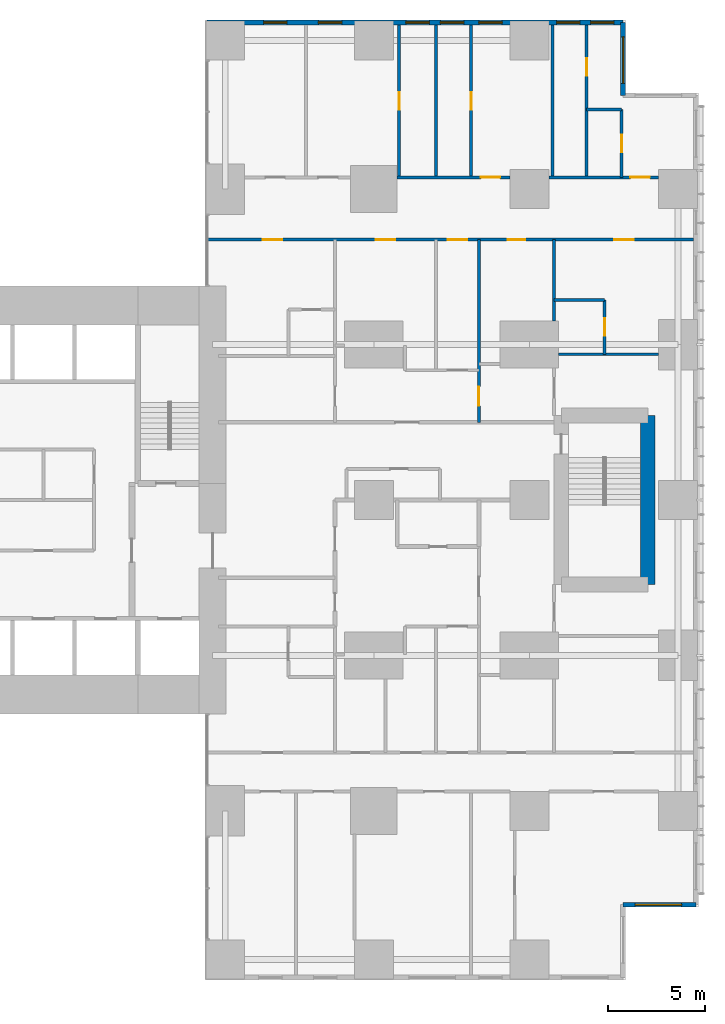
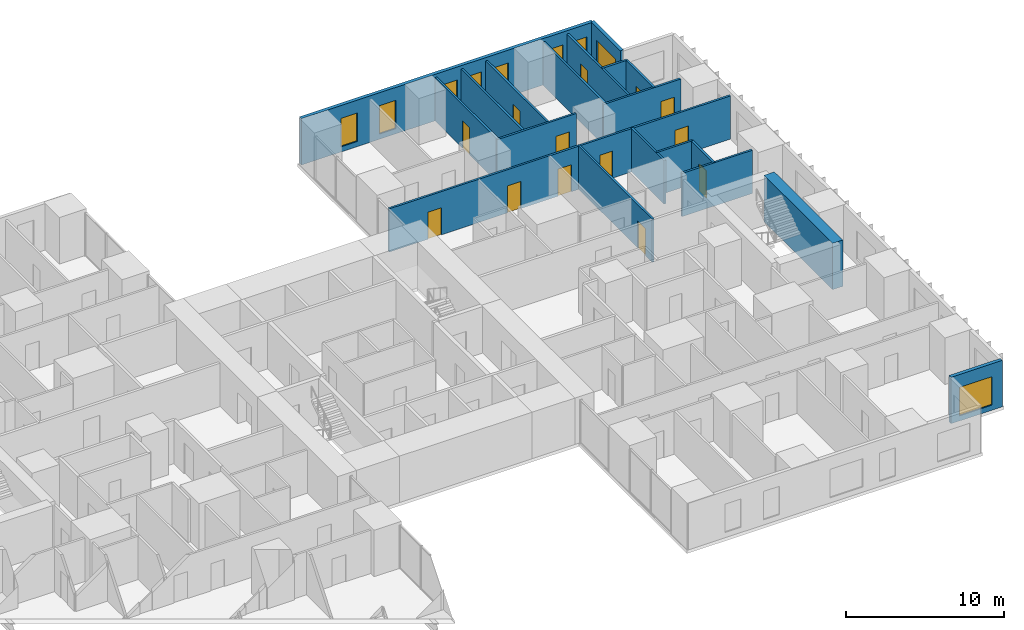
# One storey, part 18 of 20: 19 walls, 13 doors, 9 windows, 22 openings.
"""IFC4 building model written with IfcOpenShell, lengths in metres."""

from ifc_helpers import new_model, si_unit, direction, frame, frame_2d, origin, place, context, subcontext, project, spatial, rectangle, extrude, material, layer, layer_set, type_object, element, fill, save


model = new_model("IFC4")

# Units and contexts
model_context = context("Model", 3, precision=1e-05, world=origin(), true_north=direction((0.0, 1.0)))
body_context = subcontext(model_context, "Body", "Model", "MODEL_VIEW")
ifc_project = project(units=[si_unit("LENGTHUNIT", "METRE"), si_unit("AREAUNIT", "SQUARE_METRE"), si_unit("VOLUMEUNIT", "CUBIC_METRE"), si_unit("PLANEANGLEUNIT", "RADIAN"), si_unit("MASSUNIT", "GRAM", prefix="KILO")], contexts=[model_context])

# Site, building, storey
site_placement = place(None, origin())
site = spatial("IfcSite", under=ifc_project, at=site_placement, CompositionType="ELEMENT")
building_placement = place(site_placement, origin())
building = spatial("IfcBuilding", under=site, at=building_placement, Name="Cleftline Residences", CompositionType="ELEMENT")
storey_placement = place(building_placement, frame((0.0, 0.0, 164.60009765625)))
storey = spatial("IfcBuildingStorey", under=building, at=storey_placement, Name="L43", CompositionType="ELEMENT", Elevation=164.60009765625)

# Wall, opening, window
ifc_material_1 = material(Name="Rendered reinforced concrete blockwork", Category="masonry")
ifc_layer_1 = layer(ifc_material_1, 0.25)
ifc_layer_set_1 = layer_set([ifc_layer_1], Name="EXTERNAL WALL 250")
wall_type_1 = type_object("IfcWallType", Name="EXTERNAL WALL 250", PredefinedType="SOLIDWALL", material=ifc_layer_set_1)
wall_1_placement = place(storey_placement, frame((62.824951171875, 3.175048828125, 0.0), z_axis=(0.0, 0.0, 1.0), x_axis=(1.0, 0.0, 0.0)))
wall_1 = element("IfcWall", 1, at=wall_1_placement, inside=storey, type_object=wall_type_1, Name="External wall", PredefinedType="SOLIDWALL", context=body_context, shape_type="SweptSolid", body=[
    extrude(rectangle(XDim=3.75, YDim=0.25, at=frame_2d((1.875, 0.0))), origin(), (0.0, 0.0, 1.0), 3.599853515625),
])
opening_1_placement = place(wall_1_placement, frame((0.612548828125, 0.0, 0.39990234375)))
opening_1 = element("IfcOpeningElement", 2, at=opening_1_placement, cuts=wall_1, Name="Opening W12", PredefinedType="OPENING", context=body_context, shape_type="SweptSolid", body=[
    extrude(rectangle(XDim=2.39990234375, YDim=2.199951171875, at=frame_2d((1.199951171875, 1.10009765625))), frame((0.0, 0.135009765625, 0.0), z_axis=(0.0, -1.0, 0.0), x_axis=(1.0, 0.0, 0.0)), (0.0, 0.0, 1.0), 0.27001953125),
])
ifc_material_2 = material(Name="Aluminium frame, clear double glazing", Category="aluminium")
window_type_1 = type_object("IfcWindowType", Name="WINDOW 2400X2200", PartitioningType="DOUBLE_PANEL_VERTICAL", PredefinedType="WINDOW", material=ifc_material_2)
window_1_placement = place(opening_1_placement, origin())
window_1 = element("IfcWindow", 3, at=window_1_placement, inside=storey, type_object=window_type_1, Name="Window", OverallHeight=2.199951171875, OverallWidth=2.39990234375, PartitioningType="SINGLE_PANEL", PredefinedType="WINDOW", context=body_context, shape_type="SweptSolid", body=[
    extrude(rectangle(XDim=2.39990234375, YDim=2.199951171875, at=frame_2d((1.199951171875, 1.10009765625))), frame((0.0, 0.030029296875, 0.0), z_axis=(0.0, -1.0, 0.0), x_axis=(1.0, 0.0, 0.0)), (0.0, 0.0, 1.0), 0.06005859375),
])
fill(opening_1, window_1)

wall_2_placement = place(storey_placement, frame((62.824951171875, 44.824951171875, 0.0), z_axis=(0.0, 0.0, 1.0), x_axis=(0.0, 1.0, 0.0)))
wall_2 = element("IfcWall", 4, at=wall_2_placement, inside=storey, type_object=wall_type_1, Name="External wall", PredefinedType="SOLIDWALL", context=body_context, shape_type="SweptSolid", body=[
    extrude(rectangle(XDim=3.75, YDim=0.25, at=frame_2d((1.875, 0.0))), origin(), (0.0, 0.0, 1.0), 3.599853515625),
])
opening_2_placement = place(wall_2_placement, frame((0.612548828125, 0.0, 0.39990234375)))
opening_2 = element("IfcOpeningElement", 5, at=opening_2_placement, cuts=wall_2, Name="Opening W12", PredefinedType="OPENING", context=body_context, shape_type="SweptSolid", body=[
    extrude(rectangle(XDim=2.39990234375, YDim=2.199951171875, at=frame_2d((1.199951171875, 1.10009765625))), frame((0.0, 0.135009765625, 0.0), z_axis=(0.0, -1.0, 0.0), x_axis=(1.0, 0.0, 0.0)), (0.0, 0.0, 1.0), 0.27001953125),
])
window_2_placement = place(opening_2_placement, origin())
window_2 = element("IfcWindow", 6, at=window_2_placement, inside=storey, type_object=window_type_1, Name="Window", OverallHeight=2.199951171875, OverallWidth=2.39990234375, PartitioningType="SINGLE_PANEL", PredefinedType="WINDOW", context=body_context, shape_type="SweptSolid", body=[
    extrude(rectangle(XDim=2.39990234375, YDim=2.199951171875, at=frame_2d((1.199951171875, 1.10009765625))), frame((0.0, 0.030029296875, 0.0), z_axis=(0.0, -1.0, 0.0), x_axis=(1.0, 0.0, 0.0)), (0.0, 0.0, 1.0), 0.06005859375),
])
fill(opening_2, window_2)

# Wall, openings, windows
wall_3_placement = place(storey_placement, frame((62.824951171875, 48.574951171875, 0.0), z_axis=(0.0, 0.0, 1.0), x_axis=(-1.0, 0.0, 0.0)))
wall_3 = element("IfcWall", 7, at=wall_3_placement, inside=storey, type_object=wall_type_1, Name="External wall", PredefinedType="SOLIDWALL", context=body_context, shape_type="SweptSolid", body=[
    extrude(rectangle(XDim=21.39990234375, YDim=0.25, at=frame_2d((10.699951171875, 0.0))), origin(), (0.0, 0.0, 1.0), 3.599853515625),
])
opening_3_placement = place(wall_3_placement, frame((0.47509765625, 0.0, 0.39990234375)))
opening_3 = element("IfcOpeningElement", 8, at=opening_3_placement, cuts=wall_3, Name="Opening W11", PredefinedType="OPENING", context=body_context, shape_type="SweptSolid", body=[
    extrude(rectangle(XDim=1.199951171875, YDim=2.199951171875, at=frame_2d((0.60009765625, 1.10009765625))), frame((0.0, 0.135009765625, 0.0), z_axis=(0.0, -1.0, 0.0), x_axis=(1.0, 0.0, 0.0)), (0.0, 0.0, 1.0), 0.27001953125),
])
opening_4_placement = place(wall_3_placement, frame((2.22509765625, 0.0, 0.39990234375)))
opening_4 = element("IfcOpeningElement", 9, at=opening_4_placement, cuts=wall_3, Name="Opening W11", PredefinedType="OPENING", context=body_context, shape_type="SweptSolid", body=[
    extrude(rectangle(XDim=1.199951171875, YDim=2.199951171875, at=frame_2d((0.60009765625, 1.10009765625))), frame((0.0, 0.135009765625, 0.0), z_axis=(0.0, -1.0, 0.0), x_axis=(1.0, 0.0, 0.0)), (0.0, 0.0, 1.0), 0.27001953125),
])
opening_5_placement = place(wall_3_placement, frame((6.22509765625, 0.0, 0.39990234375)))
opening_5 = element("IfcOpeningElement", 10, at=opening_5_placement, cuts=wall_3, Name="Opening W11", PredefinedType="OPENING", context=body_context, shape_type="SweptSolid", body=[
    extrude(rectangle(XDim=1.199951171875, YDim=2.199951171875, at=frame_2d((0.60009765625, 1.10009765625))), frame((0.0, 0.135009765625, 0.0), z_axis=(0.0, -1.0, 0.0), x_axis=(1.0, 0.0, 0.0)), (0.0, 0.0, 1.0), 0.27001953125),
])
opening_6_placement = place(wall_3_placement, frame((8.199951171875, 0.0, 0.39990234375)))
opening_6 = element("IfcOpeningElement", 11, at=opening_6_placement, cuts=wall_3, Name="Opening W11", PredefinedType="OPENING", context=body_context, shape_type="SweptSolid", body=[
    extrude(rectangle(XDim=1.199951171875, YDim=2.199951171875, at=frame_2d((0.60009765625, 1.10009765625))), frame((0.0, 0.135009765625, 0.0), z_axis=(0.0, -1.0, 0.0), x_axis=(1.0, 0.0, 0.0)), (0.0, 0.0, 1.0), 0.27001953125),
])
opening_7_placement = place(wall_3_placement, frame((9.97509765625, 0.0, 0.39990234375)))
opening_7 = element("IfcOpeningElement", 12, at=opening_7_placement, cuts=wall_3, Name="Opening W11", PredefinedType="OPENING", context=body_context, shape_type="SweptSolid", body=[
    extrude(rectangle(XDim=1.199951171875, YDim=2.199951171875, at=frame_2d((0.60009765625, 1.10009765625))), frame((0.0, 0.135009765625, 0.0), z_axis=(0.0, -1.0, 0.0), x_axis=(1.0, 0.0, 0.0)), (0.0, 0.0, 1.0), 0.27001953125),
])
opening_8_placement = place(wall_3_placement, frame((14.47509765625, 0.0, 0.39990234375)))
opening_8 = element("IfcOpeningElement", 13, at=opening_8_placement, cuts=wall_3, Name="Opening W11", PredefinedType="OPENING", context=body_context, shape_type="SweptSolid", body=[
    extrude(rectangle(XDim=1.199951171875, YDim=2.199951171875, at=frame_2d((0.60009765625, 1.10009765625))), frame((0.0, 0.135009765625, 0.0), z_axis=(0.0, -1.0, 0.0), x_axis=(1.0, 0.0, 0.0)), (0.0, 0.0, 1.0), 0.27001953125),
])
opening_9_placement = place(wall_3_placement, frame((17.300048828125, 0.0, 0.39990234375)))
opening_9 = element("IfcOpeningElement", 14, at=opening_9_placement, cuts=wall_3, Name="Opening W11", PredefinedType="OPENING", context=body_context, shape_type="SweptSolid", body=[
    extrude(rectangle(XDim=1.199951171875, YDim=2.199951171875, at=frame_2d((0.60009765625, 1.10009765625))), frame((0.0, 0.135009765625, 0.0), z_axis=(0.0, -1.0, 0.0), x_axis=(1.0, 0.0, 0.0)), (0.0, 0.0, 1.0), 0.27001953125),
])
ifc_material_3 = material(Name="Aluminium frame, clear double glazing", Category="aluminium")
window_type_2 = type_object("IfcWindowType", Name="WINDOW 1200X2200", PartitioningType="DOUBLE_PANEL_VERTICAL", PredefinedType="WINDOW", material=ifc_material_3)
window_3_placement = place(opening_3_placement, origin())
window_3 = element("IfcWindow", 15, at=window_3_placement, inside=storey, type_object=window_type_2, Name="Window", OverallHeight=2.199951171875, OverallWidth=1.199951171875, PartitioningType="SINGLE_PANEL", PredefinedType="WINDOW", context=body_context, shape_type="SweptSolid", body=[
    extrude(rectangle(XDim=1.199951171875, YDim=2.199951171875, at=frame_2d((0.60009765625, 1.10009765625))), frame((0.0, 0.030029296875, 0.0), z_axis=(0.0, -1.0, 0.0), x_axis=(1.0, 0.0, 0.0)), (0.0, 0.0, 1.0), 0.06005859375),
])
fill(opening_3, window_3)
window_4_placement = place(opening_4_placement, origin())
window_4 = element("IfcWindow", 16, at=window_4_placement, inside=storey, type_object=window_type_2, Name="Window", OverallHeight=2.199951171875, OverallWidth=1.199951171875, PartitioningType="SINGLE_PANEL", PredefinedType="WINDOW", context=body_context, shape_type="SweptSolid", body=[
    extrude(rectangle(XDim=1.199951171875, YDim=2.199951171875, at=frame_2d((0.60009765625, 1.10009765625))), frame((0.0, 0.030029296875, 0.0), z_axis=(0.0, -1.0, 0.0), x_axis=(1.0, 0.0, 0.0)), (0.0, 0.0, 1.0), 0.06005859375),
])
fill(opening_4, window_4)
window_5_placement = place(opening_5_placement, origin())
window_5 = element("IfcWindow", 17, at=window_5_placement, inside=storey, type_object=window_type_2, Name="Window", OverallHeight=2.199951171875, OverallWidth=1.199951171875, PartitioningType="SINGLE_PANEL", PredefinedType="WINDOW", context=body_context, shape_type="SweptSolid", body=[
    extrude(rectangle(XDim=1.199951171875, YDim=2.199951171875, at=frame_2d((0.60009765625, 1.10009765625))), frame((0.0, 0.030029296875, 0.0), z_axis=(0.0, -1.0, 0.0), x_axis=(1.0, 0.0, 0.0)), (0.0, 0.0, 1.0), 0.06005859375),
])
fill(opening_5, window_5)
window_6_placement = place(opening_6_placement, origin())
window_6 = element("IfcWindow", 18, at=window_6_placement, inside=storey, type_object=window_type_2, Name="Window", OverallHeight=2.199951171875, OverallWidth=1.199951171875, PartitioningType="SINGLE_PANEL", PredefinedType="WINDOW", context=body_context, shape_type="SweptSolid", body=[
    extrude(rectangle(XDim=1.199951171875, YDim=2.199951171875, at=frame_2d((0.60009765625, 1.10009765625))), frame((0.0, 0.030029296875, 0.0), z_axis=(0.0, -1.0, 0.0), x_axis=(1.0, 0.0, 0.0)), (0.0, 0.0, 1.0), 0.06005859375),
])
fill(opening_6, window_6)
window_7_placement = place(opening_7_placement, origin())
window_7 = element("IfcWindow", 19, at=window_7_placement, inside=storey, type_object=window_type_2, Name="Window", OverallHeight=2.199951171875, OverallWidth=1.199951171875, PartitioningType="SINGLE_PANEL", PredefinedType="WINDOW", context=body_context, shape_type="SweptSolid", body=[
    extrude(rectangle(XDim=1.199951171875, YDim=2.199951171875, at=frame_2d((0.60009765625, 1.10009765625))), frame((0.0, 0.030029296875, 0.0), z_axis=(0.0, -1.0, 0.0), x_axis=(1.0, 0.0, 0.0)), (0.0, 0.0, 1.0), 0.06005859375),
])
fill(opening_7, window_7)
window_8_placement = place(opening_8_placement, origin())
window_8 = element("IfcWindow", 20, at=window_8_placement, inside=storey, type_object=window_type_2, Name="Window", OverallHeight=2.199951171875, OverallWidth=1.199951171875, PartitioningType="SINGLE_PANEL", PredefinedType="WINDOW", context=body_context, shape_type="SweptSolid", body=[
    extrude(rectangle(XDim=1.199951171875, YDim=2.199951171875, at=frame_2d((0.60009765625, 1.10009765625))), frame((0.0, 0.030029296875, 0.0), z_axis=(0.0, -1.0, 0.0), x_axis=(1.0, 0.0, 0.0)), (0.0, 0.0, 1.0), 0.06005859375),
])
fill(opening_8, window_8)
window_9_placement = place(opening_9_placement, origin())
window_9 = element("IfcWindow", 21, at=window_9_placement, inside=storey, type_object=window_type_2, Name="Window", OverallHeight=2.199951171875, OverallWidth=1.199951171875, PartitioningType="SINGLE_PANEL", PredefinedType="WINDOW", context=body_context, shape_type="SweptSolid", body=[
    extrude(rectangle(XDim=1.199951171875, YDim=2.199951171875, at=frame_2d((0.60009765625, 1.10009765625))), frame((0.0, 0.030029296875, 0.0), z_axis=(0.0, -1.0, 0.0), x_axis=(1.0, 0.0, 0.0)), (0.0, 0.0, 1.0), 0.06005859375),
])
fill(opening_9, window_9)

# Walls
ifc_material_4 = material(Name="Gypsum board on steel studs", Category="steel")
ifc_layer_2 = layer(ifc_material_4, 0.14990234375)
ifc_layer_set_2 = layer_set([ifc_layer_2], Name="PARTITION 150")
wall_type_2 = type_object("IfcWallType", Name="PARTITION 150", PredefinedType="PARTITIONING", material=ifc_layer_set_2)
wall_4_placement = place(storey_placement, frame((59.5, 31.5, 0.0), z_axis=(0.0, 0.0, 1.0), x_axis=(1.0, 0.0, 0.0)))
element("IfcWall", 22, at=wall_4_placement, inside=storey, type_object=wall_type_2, Name="Partition", PredefinedType="PARTITIONING", context=body_context, shape_type="SweptSolid", body=[
    extrude(rectangle(XDim=5.14990234375, YDim=0.14990234375, at=frame_2d((2.574951171875, 0.0))), origin(), (0.0, 0.0, 1.0), 3.349853515625),
])
wall_5_placement = place(storey_placement, frame((59.27490234375, 34.300048828125, 0.0), z_axis=(0.0, 0.0, 1.0), x_axis=(1.0, 0.0, 0.0)))
element("IfcWall", 23, at=wall_5_placement, inside=storey, type_object=wall_type_2, Name="Partition", PredefinedType="PARTITIONING", context=body_context, shape_type="SweptSolid", body=[
    extrude(rectangle(XDim=2.60009765625, YDim=0.14990234375, at=frame_2d((1.300048828125, 0.0))), origin(), (0.0, 0.0, 1.0), 3.349853515625),
])

# Wall, openings, doors
wall_6_placement = place(storey_placement, frame((41.43896484375, 37.39990234375, 0.0), z_axis=(0.0, 0.0, 1.0), x_axis=(1.0, 0.0, 0.0)))
wall_6 = element("IfcWall", 24, at=wall_6_placement, inside=storey, type_object=wall_type_2, Name="Partition", PredefinedType="PARTITIONING", context=body_context, shape_type="SweptSolid", body=[
    extrude(rectangle(XDim=25.010986328125, YDim=0.14990234375, at=frame_2d((12.50537109375, 0.0))), origin(), (0.0, 0.0, 1.0), 3.349853515625),
])
opening_10_placement = place(wall_6_placement, frame((12.361083984375, 0.0, 0.0)))
opening_10 = element("IfcOpeningElement", 25, at=opening_10_placement, cuts=wall_6, Name="Opening D2F30", PredefinedType="OPENING", context=body_context, shape_type="SweptSolid", body=[
    extrude(rectangle(XDim=1.0, YDim=2.10009765625, at=frame_2d((0.5, 1.050048828125))), frame((0.0, 0.0849609375, 0.0), z_axis=(0.0, -1.0, 0.0), x_axis=(1.0, 0.0, 0.0)), (0.0, 0.0, 1.0), 0.169921875),
])
opening_11_placement = place(wall_6_placement, frame((20.923583984375, 0.0, 0.0)))
opening_11 = element("IfcOpeningElement", 26, at=opening_11_placement, cuts=wall_6, Name="Opening D2F30", PredefinedType="OPENING", context=body_context, shape_type="SweptSolid", body=[
    extrude(rectangle(XDim=1.0, YDim=2.10009765625, at=frame_2d((0.5, 1.050048828125))), frame((0.0, 0.0849609375, 0.0), z_axis=(0.0, -1.0, 0.0), x_axis=(1.0, 0.0, 0.0)), (0.0, 0.0, 1.0), 0.169921875),
])
opening_12_placement = place(wall_6_placement, frame((15.448486328125, 0.0, 0.0)))
opening_12 = element("IfcOpeningElement", 27, at=opening_12_placement, cuts=wall_6, Name="Opening D1F30", PredefinedType="OPENING", context=body_context, shape_type="SweptSolid", body=[
    extrude(rectangle(XDim=0.89990234375, YDim=2.10009765625, at=frame_2d((0.449951171875, 1.050048828125))), frame((0.0, 0.0849609375, 0.0), z_axis=(0.0, -1.0, 0.0), x_axis=(1.0, 0.0, 0.0)), (0.0, 0.0, 1.0), 0.169921875),
])
opening_13_placement = place(wall_6_placement, frame((8.660888671875, 0.0, 0.0)))
opening_13 = element("IfcOpeningElement", 28, at=opening_13_placement, cuts=wall_6, Name="Opening D2F30", PredefinedType="OPENING", context=body_context, shape_type="SweptSolid", body=[
    extrude(rectangle(XDim=1.0, YDim=2.10009765625, at=frame_2d((0.5, 1.050048828125))), frame((0.0, 0.0849609375, 0.0), z_axis=(0.0, -1.0, 0.0), x_axis=(1.0, 0.0, 0.0)), (0.0, 0.0, 1.0), 0.169921875),
])
opening_14_placement = place(wall_6_placement, frame((2.8359375, 0.0, 0.0)))
opening_14 = element("IfcOpeningElement", 29, at=opening_14_placement, cuts=wall_6, Name="Opening D2F30", PredefinedType="OPENING", context=body_context, shape_type="SweptSolid", body=[
    extrude(rectangle(XDim=1.0, YDim=2.10009765625, at=frame_2d((0.5, 1.050048828125))), frame((0.0, 0.0849609375, 0.0), z_axis=(0.0, -1.0, 0.0), x_axis=(1.0, 0.0, 0.0)), (0.0, 0.0, 1.0), 0.169921875),
])
ifc_material_5 = material(Name="Timber veneer on solid core", Category="wood")
door_type_1 = type_object("IfcDoorType", Name="DOOR 1000X2100 EI 30", OperationType="SINGLE_SWING_LEFT", PredefinedType="DOOR", material=ifc_material_5)
door_1_placement = place(opening_10_placement, origin())
door_1 = element("IfcDoor", 30, at=door_1_placement, inside=storey, type_object=door_type_1, Name="Door to residence corridor (bedrooms)", OperationType="SINGLE_SWING_LEFT", OverallHeight=2.10009765625, OverallWidth=1.0, PredefinedType="DOOR", context=body_context, shape_type="SweptSolid", body=[
    extrude(rectangle(XDim=1.0, YDim=2.10009765625, at=frame_2d((0.5, 1.050048828125))), frame((0.0, 0.02490234375, 0.0), z_axis=(0.0, -1.0, 0.0), x_axis=(1.0, 0.0, 0.0)), (0.0, 0.0, 1.0), 0.050048828125),
])
fill(opening_10, door_1)
door_2_placement = place(opening_11_placement, origin())
door_2 = element("IfcDoor", 31, at=door_2_placement, inside=storey, type_object=door_type_1, Name="Door to master bedroom", OperationType="SINGLE_SWING_LEFT", OverallHeight=2.10009765625, OverallWidth=1.0, PredefinedType="DOOR", context=body_context, shape_type="SweptSolid", body=[
    extrude(rectangle(XDim=1.0, YDim=2.10009765625, at=frame_2d((0.5, 1.050048828125))), frame((0.0, 0.02490234375, 0.0), z_axis=(0.0, -1.0, 0.0), x_axis=(1.0, 0.0, 0.0)), (0.0, 0.0, 1.0), 0.050048828125),
])
fill(opening_11, door_2)
door_3_placement = place(opening_13_placement, origin())
door_3 = element("IfcDoor", 32, at=door_3_placement, inside=storey, type_object=door_type_1, Name="Door to media room", OperationType="SINGLE_SWING_RIGHT", OverallHeight=2.10009765625, OverallWidth=1.0, PredefinedType="DOOR", context=body_context, shape_type="SweptSolid", body=[
    extrude(rectangle(XDim=1.0, YDim=2.10009765625, at=frame_2d((0.5, 1.050048828125))), frame((0.0, 0.02490234375, 0.0), z_axis=(0.0, -1.0, 0.0), x_axis=(1.0, 0.0, 0.0)), (0.0, 0.0, 1.0), 0.050048828125),
])
fill(opening_13, door_3)
door_4_placement = place(opening_14_placement, origin())
door_4 = element("IfcDoor", 33, at=door_4_placement, inside=storey, type_object=door_type_1, Name="Door to staff bedroom", OperationType="SINGLE_SWING_RIGHT", OverallHeight=2.10009765625, OverallWidth=1.0, PredefinedType="DOOR", context=body_context, shape_type="SweptSolid", body=[
    extrude(rectangle(XDim=1.0, YDim=2.10009765625, at=frame_2d((0.5, 1.050048828125))), frame((0.0, 0.02490234375, 0.0), z_axis=(0.0, -1.0, 0.0), x_axis=(1.0, 0.0, 0.0)), (0.0, 0.0, 1.0), 0.050048828125),
])
fill(opening_14, door_4)
ifc_material_6 = material(Name="Timber veneer on solid core", Category="wood")
door_type_2 = type_object("IfcDoorType", Name="DOOR 900X2100 EI 30", OperationType="SINGLE_SWING_LEFT", PredefinedType="DOOR", material=ifc_material_6)
door_5_placement = place(opening_12_placement, origin())
door_5 = element("IfcDoor", 34, at=door_5_placement, inside=storey, type_object=door_type_2, Name="Door to guest bathroom", OperationType="SINGLE_SWING_LEFT", OverallHeight=2.10009765625, OverallWidth=0.89990234375, PredefinedType="DOOR", context=body_context, shape_type="SweptSolid", body=[
    extrude(rectangle(XDim=0.89990234375, YDim=2.10009765625, at=frame_2d((0.449951171875, 1.050048828125))), frame((0.0, 0.02490234375, 0.0), z_axis=(0.0, -1.0, 0.0), x_axis=(1.0, 0.0, 0.0)), (0.0, 0.0, 1.0), 0.050048828125),
])
fill(opening_12, door_5)

# Wall, opening, door
wall_7_placement = place(storey_placement, frame((51.199951171875, 40.60009765625, 0.0), z_axis=(0.0, 0.0, 1.0), x_axis=(1.0, 0.0, 0.0)))
wall_7 = element("IfcWall", 35, at=wall_7_placement, inside=storey, type_object=wall_type_2, Name="Partition", PredefinedType="PARTITIONING", context=body_context, shape_type="SweptSolid", body=[
    extrude(rectangle(XDim=5.800048828125, YDim=0.14990234375, at=frame_2d((2.89990234375, 0.0))), origin(), (0.0, 0.0, 1.0), 3.349853515625),
])
opening_15_placement = place(wall_7_placement, frame((4.300048828125, 0.0, 0.0)))
opening_15 = element("IfcOpeningElement", 36, at=opening_15_placement, cuts=wall_7, Name="Opening D2", PredefinedType="OPENING", context=body_context, shape_type="SweptSolid", body=[
    extrude(rectangle(XDim=1.0, YDim=2.10009765625, at=frame_2d((0.5, 1.050048828125))), frame((0.0, 0.0849609375, 0.0), z_axis=(0.0, -1.0, 0.0), x_axis=(1.0, 0.0, 0.0)), (0.0, 0.0, 1.0), 0.169921875),
])
ifc_material_7 = material(Name="Timber veneer on solid core", Category="wood")
door_type_3 = type_object("IfcDoorType", Name="DOOR 1000X2100", OperationType="SINGLE_SWING_LEFT", PredefinedType="DOOR", material=ifc_material_7)
door_6_placement = place(opening_15_placement, origin())
door_6 = element("IfcDoor", 37, at=door_6_placement, inside=storey, type_object=door_type_3, Name="Door to bedroom 3", OperationType="SINGLE_SWING_LEFT", OverallHeight=2.10009765625, OverallWidth=1.0, PredefinedType="DOOR", context=body_context, shape_type="SweptSolid", body=[
    extrude(rectangle(XDim=1.0, YDim=2.10009765625, at=frame_2d((0.5, 1.050048828125))), frame((0.0, 0.02490234375, 0.0), z_axis=(0.0, -1.0, 0.0), x_axis=(1.0, 0.0, 0.0)), (0.0, 0.0, 1.0), 0.050048828125),
])
fill(opening_15, door_6)

wall_8_placement = place(storey_placement, frame((59.0, 40.60009765625, 0.0), z_axis=(0.0, 0.0, 1.0), x_axis=(1.0, 0.0, 0.0)))
wall_8 = element("IfcWall", 38, at=wall_8_placement, inside=storey, type_object=wall_type_2, Name="Partition", PredefinedType="PARTITIONING", context=body_context, shape_type="SweptSolid", body=[
    extrude(rectangle(XDim=5.64990234375, YDim=0.14990234375, at=frame_2d((2.824951171875, 0.0))), origin(), (0.0, 0.0, 1.0), 3.349853515625),
])
opening_16_placement = place(wall_8_placement, frame((4.199951171875, 0.0, 0.0)))
opening_16 = element("IfcOpeningElement", 39, at=opening_16_placement, cuts=wall_8, Name="Opening D2", PredefinedType="OPENING", context=body_context, shape_type="SweptSolid", body=[
    extrude(rectangle(XDim=1.0, YDim=2.10009765625, at=frame_2d((0.5, 1.050048828125))), frame((0.0, 0.0849609375, 0.0), z_axis=(0.0, -1.0, 0.0), x_axis=(1.0, 0.0, 0.0)), (0.0, 0.0, 1.0), 0.169921875),
])
door_7_placement = place(opening_16_placement, origin())
door_7 = element("IfcDoor", 40, at=door_7_placement, inside=storey, type_object=door_type_3, Name="Door to bedroom 2", OperationType="SINGLE_SWING_LEFT", OverallHeight=2.10009765625, OverallWidth=1.0, PredefinedType="DOOR", context=body_context, shape_type="SweptSolid", body=[
    extrude(rectangle(XDim=1.0, YDim=2.10009765625, at=frame_2d((0.5, 1.050048828125))), frame((0.0, 0.02490234375, 0.0), z_axis=(0.0, -1.0, 0.0), x_axis=(1.0, 0.0, 0.0)), (0.0, 0.0, 1.0), 0.050048828125),
])
fill(opening_16, door_7)

# Wall
wall_9_placement = place(storey_placement, frame((60.949951171875, 44.10009765625, 0.0), z_axis=(0.0, 0.0, 1.0), x_axis=(1.0, 0.0, 0.0)))
element("IfcWall", 41, at=wall_9_placement, inside=storey, type_object=wall_type_2, Name="Partition", PredefinedType="PARTITIONING", context=body_context, shape_type="SweptSolid", body=[
    extrude(rectangle(XDim=1.800048828125, YDim=0.14990234375, at=frame_2d((0.89990234375, 0.0))), origin(), (0.0, 0.0, 1.0), 3.349853515625),
])

# Wall, opening, door
wall_10_placement = place(storey_placement, frame((51.300048828125, 40.60009765625, 0.0), z_axis=(0.0, 0.0, 1.0), x_axis=(0.0, 1.0, 0.0)))
wall_10 = element("IfcWall", 42, at=wall_10_placement, inside=storey, type_object=wall_type_2, Name="Partition", PredefinedType="PARTITIONING", context=body_context, shape_type="SweptSolid", body=[
    extrude(rectangle(XDim=7.849853515625, YDim=0.14990234375, at=frame_2d((3.9248046875, 0.0))), origin(), (0.0, 0.0, 1.0), 3.349853515625),
])
opening_17_placement = place(wall_10_placement, frame((3.47509765625, 0.0, 0.0)))
opening_17 = element("IfcOpeningElement", 43, at=opening_17_placement, cuts=wall_10, Name="Opening D1", PredefinedType="OPENING", context=body_context, shape_type="SweptSolid", body=[
    extrude(rectangle(XDim=0.89990234375, YDim=2.10009765625, at=frame_2d((0.449951171875, 1.050048828125))), frame((0.0, 0.0849609375, 0.0), z_axis=(0.0, -1.0, 0.0), x_axis=(1.0, 0.0, 0.0)), (0.0, 0.0, 1.0), 0.169921875),
])
ifc_material_8 = material(Name="Timber veneer on solid core", Category="wood")
door_type_4 = type_object("IfcDoorType", Name="DOOR 900X2100", OperationType="SINGLE_SWING_LEFT", PredefinedType="DOOR", material=ifc_material_8)
door_8_placement = place(opening_17_placement, origin())
door_8 = element("IfcDoor", 44, at=door_8_placement, inside=storey, type_object=door_type_4, Name="Door to en-suite bathroom 4", OperationType="SINGLE_SWING_LEFT", OverallHeight=2.10009765625, OverallWidth=0.89990234375, PredefinedType="DOOR", context=body_context, shape_type="SweptSolid", body=[
    extrude(rectangle(XDim=0.89990234375, YDim=2.10009765625, at=frame_2d((0.449951171875, 1.050048828125))), frame((0.0, 0.02490234375, 0.0), z_axis=(0.0, -1.0, 0.0), x_axis=(1.0, 0.0, 0.0)), (0.0, 0.0, 1.0), 0.050048828125),
])
fill(opening_17, door_8)

# Wall
wall_11_placement = place(storey_placement, frame((53.199951171875, 40.60009765625, 0.0), z_axis=(0.0, 0.0, 1.0), x_axis=(0.0, 1.0, 0.0)))
element("IfcWall", 45, at=wall_11_placement, inside=storey, type_object=wall_type_2, Name="Partition", PredefinedType="PARTITIONING", context=body_context, shape_type="SweptSolid", body=[
    extrude(rectangle(XDim=7.849853515625, YDim=0.14990234375, at=frame_2d((3.9248046875, 0.0))), origin(), (0.0, 0.0, 1.0), 3.349853515625),
])

# Wall, opening, door
wall_12_placement = place(storey_placement, frame((55.0, 40.60009765625, 0.0), z_axis=(0.0, 0.0, 1.0), x_axis=(0.0, 1.0, 0.0)))
wall_12 = element("IfcWall", 46, at=wall_12_placement, inside=storey, type_object=wall_type_2, Name="Partition", PredefinedType="PARTITIONING", context=body_context, shape_type="SweptSolid", body=[
    extrude(rectangle(XDim=7.849853515625, YDim=0.14990234375, at=frame_2d((3.9248046875, 0.0))), origin(), (0.0, 0.0, 1.0), 3.349853515625),
])
opening_18_placement = place(wall_12_placement, frame((3.47509765625, 0.0, 0.0)))
opening_18 = element("IfcOpeningElement", 47, at=opening_18_placement, cuts=wall_12, Name="Opening D1", PredefinedType="OPENING", context=body_context, shape_type="SweptSolid", body=[
    extrude(rectangle(XDim=0.89990234375, YDim=2.10009765625, at=frame_2d((0.449951171875, 1.050048828125))), frame((0.0, 0.0849609375, 0.0), z_axis=(0.0, -1.0, 0.0), x_axis=(1.0, 0.0, 0.0)), (0.0, 0.0, 1.0), 0.169921875),
])
door_9_placement = place(opening_18_placement, origin())
door_9 = element("IfcDoor", 48, at=door_9_placement, inside=storey, type_object=door_type_4, Name="Door to en-suite bathroom 3", OperationType="SINGLE_SWING_LEFT", OverallHeight=2.10009765625, OverallWidth=0.89990234375, PredefinedType="DOOR", context=body_context, shape_type="SweptSolid", body=[
    extrude(rectangle(XDim=0.89990234375, YDim=2.10009765625, at=frame_2d((0.449951171875, 1.050048828125))), frame((0.0, 0.02490234375, 0.0), z_axis=(0.0, -1.0, 0.0), x_axis=(1.0, 0.0, 0.0)), (0.0, 0.0, 1.0), 0.050048828125),
])
fill(opening_18, door_9)

wall_13_placement = place(storey_placement, frame((55.39990234375, 28.0, 0.0), z_axis=(0.0, 0.0, 1.0), x_axis=(0.0, 1.0, 0.0)))
wall_13 = element("IfcWall", 49, at=wall_13_placement, inside=storey, type_object=wall_type_2, Name="Partition", PredefinedType="PARTITIONING", context=body_context, shape_type="SweptSolid", body=[
    extrude(rectangle(XDim=9.39990234375, YDim=0.14990234375, at=frame_2d((4.699951171875, 0.0))), origin(), (0.0, 0.0, 1.0), 3.349853515625),
])
opening_19_placement = place(wall_13_placement, frame((0.83740234375, 0.0, 0.0)))
opening_19 = element("IfcOpeningElement", 50, at=opening_19_placement, cuts=wall_13, Name="Opening D2F30", PredefinedType="OPENING", context=body_context, shape_type="SweptSolid", body=[
    extrude(rectangle(XDim=1.0, YDim=2.10009765625, at=frame_2d((0.5, 1.050048828125))), frame((0.0, 0.0849609375, 0.0), z_axis=(0.0, -1.0, 0.0), x_axis=(1.0, 0.0, 0.0)), (0.0, 0.0, 1.0), 0.169921875),
])
door_10_placement = place(opening_19_placement, origin())
door_10 = element("IfcDoor", 51, at=door_10_placement, inside=storey, type_object=door_type_1, Name="Door to residence lobby (service)", OperationType="SINGLE_SWING_RIGHT", OverallHeight=2.10009765625, OverallWidth=1.0, PredefinedType="DOOR", context=body_context, shape_type="SweptSolid", body=[
    extrude(rectangle(XDim=1.0, YDim=2.10009765625, at=frame_2d((0.5, 1.050048828125))), frame((0.0, 0.02490234375, 0.0), z_axis=(0.0, -1.0, 0.0), x_axis=(1.0, 0.0, 0.0)), (0.0, 0.0, 1.0), 0.050048828125),
])
fill(opening_19, door_10)

# Walls
wall_14_placement = place(storey_placement, frame((59.199951171875, 40.60009765625, 0.0), z_axis=(0.0, 0.0, 1.0), x_axis=(0.0, 1.0, 0.0)))
element("IfcWall", 52, at=wall_14_placement, inside=storey, type_object=wall_type_2, Name="Partition", PredefinedType="PARTITIONING", context=body_context, shape_type="SweptSolid", body=[
    extrude(rectangle(XDim=7.849853515625, YDim=0.14990234375, at=frame_2d((3.9248046875, 0.0))), origin(), (0.0, 0.0, 1.0), 3.349853515625),
])
wall_15_placement = place(storey_placement, frame((59.27490234375, 33.199951171875, 0.0), z_axis=(0.0, 0.0, 1.0), x_axis=(0.0, 1.0, 0.0)))
element("IfcWall", 53, at=wall_15_placement, inside=storey, type_object=wall_type_2, Name="Partition", PredefinedType="PARTITIONING", context=body_context, shape_type="SweptSolid", body=[
    extrude(rectangle(XDim=4.199951171875, YDim=0.14990234375, at=frame_2d((2.10009765625, 0.0))), origin(), (0.0, 0.0, 1.0), 3.349853515625),
])

# Wall, opening, door
wall_16_placement = place(storey_placement, frame((60.949951171875, 40.60009765625, 0.0), z_axis=(0.0, 0.0, 1.0), x_axis=(0.0, 1.0, 0.0)))
wall_16 = element("IfcWall", 54, at=wall_16_placement, inside=storey, type_object=wall_type_2, Name="Partition", PredefinedType="PARTITIONING", context=body_context, shape_type="SweptSolid", body=[
    extrude(rectangle(XDim=7.849853515625, YDim=0.14990234375, at=frame_2d((3.9248046875, 0.0))), origin(), (0.0, 0.0, 1.0), 3.349853515625),
])
opening_20_placement = place(wall_16_placement, frame((5.22509765625, 0.0, 0.0)))
opening_20 = element("IfcOpeningElement", 55, at=opening_20_placement, cuts=wall_16, Name="Opening D1", PredefinedType="OPENING", context=body_context, shape_type="SweptSolid", body=[
    extrude(rectangle(XDim=0.89990234375, YDim=2.10009765625, at=frame_2d((0.449951171875, 1.050048828125))), frame((0.0, 0.0849609375, 0.0), z_axis=(0.0, -1.0, 0.0), x_axis=(1.0, 0.0, 0.0)), (0.0, 0.0, 1.0), 0.169921875),
])
door_11_placement = place(opening_20_placement, origin())
door_11 = element("IfcDoor", 56, at=door_11_placement, inside=storey, type_object=door_type_4, Name="Door to walk-in wardrobe", OperationType="SINGLE_SWING_LEFT", OverallHeight=2.10009765625, OverallWidth=0.89990234375, PredefinedType="DOOR", context=body_context, shape_type="SweptSolid", body=[
    extrude(rectangle(XDim=0.89990234375, YDim=2.10009765625, at=frame_2d((0.449951171875, 1.050048828125))), frame((0.0, 0.02490234375, 0.0), z_axis=(0.0, -1.0, 0.0), x_axis=(1.0, 0.0, 0.0)), (0.0, 0.0, 1.0), 0.050048828125),
])
fill(opening_20, door_11)

wall_17_placement = place(storey_placement, frame((61.875, 31.5, 0.0), z_axis=(0.0, 0.0, 1.0), x_axis=(0.0, 1.0, 0.0)))
wall_17 = element("IfcWall", 57, at=wall_17_placement, inside=storey, type_object=wall_type_2, Name="Partition", PredefinedType="PARTITIONING", context=body_context, shape_type="SweptSolid", body=[
    extrude(rectangle(XDim=2.800048828125, YDim=0.14990234375, at=frame_2d((1.39990234375, 0.0))), origin(), (0.0, 0.0, 1.0), 3.349853515625),
])
opening_21_placement = place(wall_17_placement, frame((0.949951171875, 0.0, 0.0)))
opening_21 = element("IfcOpeningElement", 58, at=opening_21_placement, cuts=wall_17, Name="Opening D1", PredefinedType="OPENING", context=body_context, shape_type="SweptSolid", body=[
    extrude(rectangle(XDim=0.89990234375, YDim=2.10009765625, at=frame_2d((0.449951171875, 1.050048828125))), frame((0.0, 0.0849609375, 0.0), z_axis=(0.0, -1.0, 0.0), x_axis=(1.0, 0.0, 0.0)), (0.0, 0.0, 1.0), 0.169921875),
])
door_12_placement = place(opening_21_placement, origin())
door_12 = element("IfcDoor", 59, at=door_12_placement, inside=storey, type_object=door_type_4, Name="Door to master bathroom", OperationType="SINGLE_SWING_LEFT", OverallHeight=2.10009765625, OverallWidth=0.89990234375, PredefinedType="DOOR", context=body_context, shape_type="SweptSolid", body=[
    extrude(rectangle(XDim=0.89990234375, YDim=2.10009765625, at=frame_2d((0.449951171875, 1.050048828125))), frame((0.0, 0.02490234375, 0.0), z_axis=(0.0, -1.0, 0.0), x_axis=(1.0, 0.0, 0.0)), (0.0, 0.0, 1.0), 0.050048828125),
])
fill(opening_21, door_12)

wall_18_placement = place(storey_placement, frame((62.75, 40.60009765625, 0.0), z_axis=(0.0, 0.0, 1.0), x_axis=(0.0, 1.0, 0.0)))
wall_18 = element("IfcWall", 60, at=wall_18_placement, inside=storey, type_object=wall_type_2, Name="Partition", PredefinedType="PARTITIONING", context=body_context, shape_type="SweptSolid", body=[
    extrude(rectangle(XDim=3.5, YDim=0.14990234375, at=frame_2d((1.75, 0.0))), origin(), (0.0, 0.0, 1.0), 3.349853515625),
])
opening_22_placement = place(wall_18_placement, frame((1.300048828125, 0.0, 0.0)))
opening_22 = element("IfcOpeningElement", 61, at=opening_22_placement, cuts=wall_18, Name="Opening D1", PredefinedType="OPENING", context=body_context, shape_type="SweptSolid", body=[
    extrude(rectangle(XDim=0.89990234375, YDim=2.10009765625, at=frame_2d((0.449951171875, 1.050048828125))), frame((0.0, 0.0849609375, 0.0), z_axis=(0.0, -1.0, 0.0), x_axis=(1.0, 0.0, 0.0)), (0.0, 0.0, 1.0), 0.169921875),
])
door_13_placement = place(opening_22_placement, origin())
door_13 = element("IfcDoor", 62, at=door_13_placement, inside=storey, type_object=door_type_4, Name="Door to en-suite bathroom 2", OperationType="SINGLE_SWING_LEFT", OverallHeight=2.10009765625, OverallWidth=0.89990234375, PredefinedType="DOOR", context=body_context, shape_type="SweptSolid", body=[
    extrude(rectangle(XDim=0.89990234375, YDim=2.10009765625, at=frame_2d((0.449951171875, 1.050048828125))), frame((0.0, 0.02490234375, 0.0), z_axis=(0.0, -1.0, 0.0), x_axis=(1.0, 0.0, 0.0)), (0.0, 0.0, 1.0), 0.050048828125),
])
fill(opening_22, door_13)

# Wall
ifc_material_9 = material(Name="Concrete B70", Category="concrete")
ifc_layer_3 = layer(ifc_material_9, 0.75)
ifc_layer_set_3 = layer_set([ifc_layer_3], Name="SHEAR WALL 750")
wall_type_3 = type_object("IfcWallType", Name="SHEAR WALL 750", PredefinedType="SHEAR", material=ifc_layer_set_3)
wall_19_placement = place(storey_placement, frame((64.10009765625, 19.64990234375, 0.0), z_axis=(0.0, 0.0, 1.0), x_axis=(0.0, 1.0, 0.0)))
element("IfcWall", 63, at=wall_19_placement, inside=storey, type_object=wall_type_3, Name="Wing shear wall", PredefinedType="SHEAR", context=body_context, shape_type="SweptSolid", body=[
    extrude(rectangle(XDim=8.7001953125, YDim=0.75, at=frame_2d((4.35009765625, 0.0))), origin(), (0.0, 0.0, 1.0), 3.599853515625),
])

save(model, "model.ifc")
